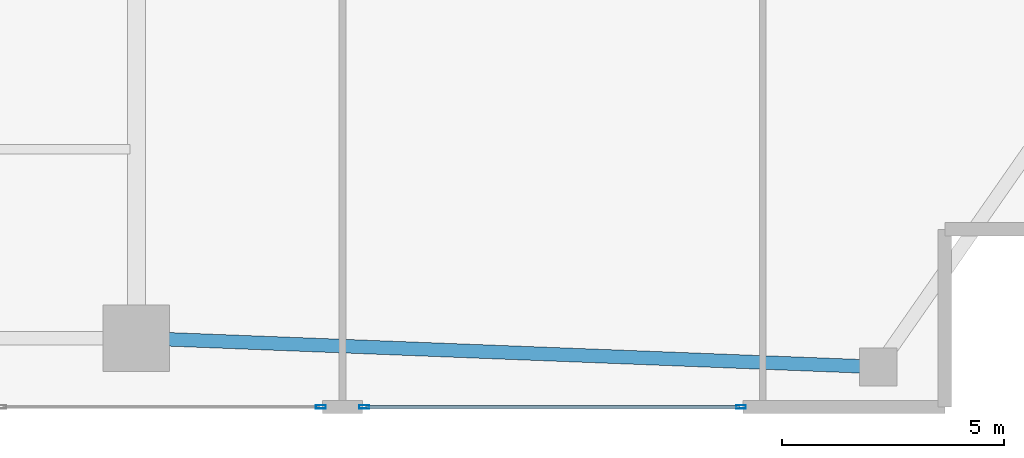
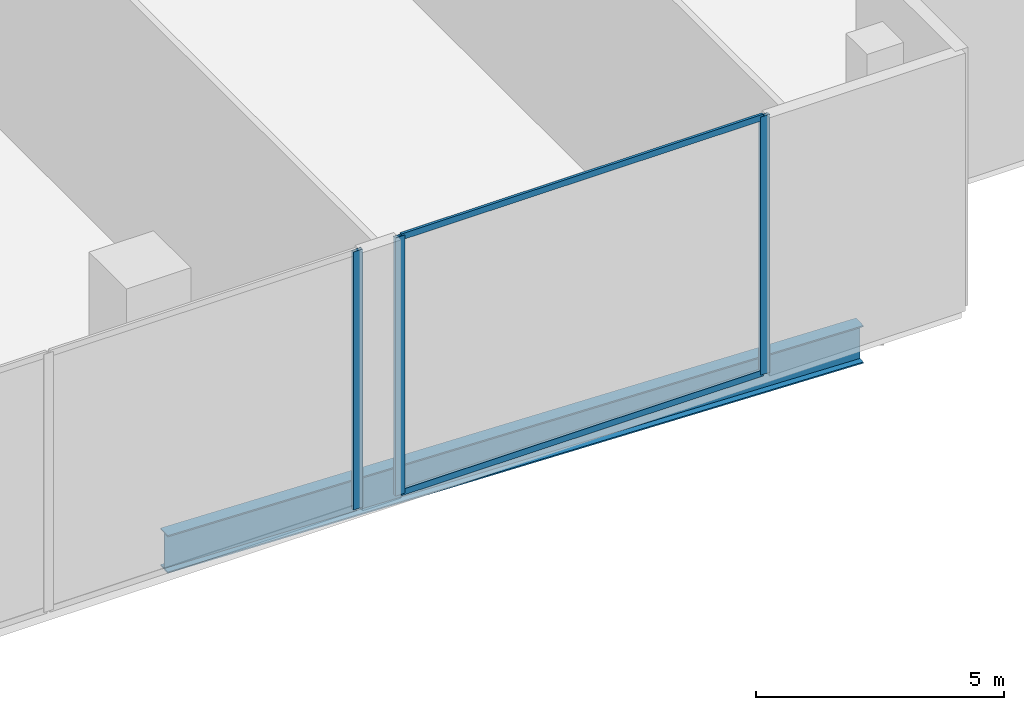
# One storey, part 10 of 30: 5 members, 1 beam, 2 elements without a shape of their own.
"""IFC4 building model written with IfcOpenShell, lengths in metres."""

import ifcopenshell
import ifcopenshell.guid

model = None  # the IFC model being written
_history = None  # IfcOwnerHistory: only IFC2X3 demands one
_inside = {}  # id of a spatial element -> (the spatial element, [elements in it])
_under = {}  # id of a project, library or spatial element -> (it, [spatial elements below it])
_declared = {}  # id of a project -> (the project, [libraries it declares])
_typed = {}  # id of a type object -> (the type object, [elements of that type])
_made_of = {}  # id of a material, layer set ... -> (it, [elements and type objects made of it])


def new_model(schema):
    """Start an empty IFC model of exactly this schema.

    Asked for "IFC4X3", IfcOpenShell would pick the latest addendum, in which some entities
    have other attributes; the version numbers below select the first issue.
    IFC2X3 requires an IfcOwnerHistory on every rooted entity: one is made here for all.
    """
    global model, _history
    if schema == "IFC4X3":
        model = ifcopenshell.file(schema_version=(4, 3, 0, 0))
    else:
        model = ifcopenshell.file(schema=schema)
    _inside.clear()
    _under.clear()
    _declared.clear()
    _typed.clear()
    _made_of.clear()
    _history = None
    if model.schema == "IFC2X3":
        org = make("IfcOrganization", Name="unknown")
        user = make(
            "IfcPersonAndOrganization",
            ThePerson=make("IfcPerson", FamilyName="unknown"),
            TheOrganization=org,
        )
        app = make(
            "IfcApplication",
            ApplicationDeveloper=org,
            Version="unknown",
            ApplicationFullName="unknown",
            ApplicationIdentifier="unknown",
        )
        _history = make(
            "IfcOwnerHistory",
            OwningUser=user,
            OwningApplication=app,
            ChangeAction="ADDED",
            CreationDate=0,
        )
    return model


def make(cls, **values):
    """One entity of the class cls with the attributes given. An attribute that is None is left unset."""
    return model.create_entity(
        cls, **{name: value for name, value in values.items() if value is not None}
    )


def rooted(cls, **values):
    """An entity with a GlobalId (a new one), such as an element, a storey or a relation."""
    return make(cls, GlobalId=ifcopenshell.guid.new(), OwnerHistory=_history, **values)


def si_unit(unit_type, name, prefix=None):
    """IfcSIUnit, for example si_unit("LENGTHUNIT", "METRE", prefix="MILLI")."""
    return make("IfcSIUnit", UnitType=unit_type, Prefix=prefix, Name=name)


def assignment(units):
    """IfcUnitAssignment: the units of a project."""
    return None if units is None else make("IfcUnitAssignment", Units=units)


def point(xyz):
    """IfcCartesianPoint."""
    return None if xyz is None else make("IfcCartesianPoint", Coordinates=xyz)


def direction(xyz):
    """IfcDirection."""
    return None if xyz is None else make("IfcDirection", DirectionRatios=xyz)


def frame(location, z_axis=None, x_axis=None):
    """IfcAxis2Placement3D, a coordinate frame: its origin and axes. An axis left out is left unset."""
    return make(
        "IfcAxis2Placement3D",
        Location=point(location),
        Axis=direction(z_axis),
        RefDirection=direction(x_axis),
    )


def frame_2d(location, x_axis=None):
    """IfcAxis2Placement2D, a coordinate frame in the plane: its origin and x axis."""
    return make(
        "IfcAxis2Placement2D", Location=point(location), RefDirection=direction(x_axis)
    )


def origin():
    """The frame at (0, 0, 0) with its axes left unset."""
    return frame((0.0, 0.0, 0.0))


def origin_2d():
    """The frame at (0, 0) in the plane with its x axis left unset."""
    return frame_2d((0.0, 0.0))


def place(relative_to, where):
    """IfcLocalPlacement: puts the frame where relative to a parent placement (None: the world)."""
    return make(
        "IfcLocalPlacement", PlacementRelTo=relative_to, RelativePlacement=where
    )


def context(
    kind, dimensions, precision=None, world=None, true_north=None, identifier=None
):
    """IfcGeometricRepresentationContext, for example the 3D "Model" context."""
    return make(
        "IfcGeometricRepresentationContext",
        ContextIdentifier=identifier,
        ContextType=kind,
        CoordinateSpaceDimension=dimensions,
        Precision=precision,
        WorldCoordinateSystem=world,
        TrueNorth=true_north,
    )


def subcontext(parent, identifier, kind, view, scale=None):
    """IfcGeometricRepresentationSubContext, for example "Body" below "Model"."""
    return make(
        "IfcGeometricRepresentationSubContext",
        ContextIdentifier=identifier,
        ContextType=kind,
        ParentContext=parent,
        TargetScale=scale,
        TargetView=view,
    )


def project(units=None, contexts=None):
    """IfcProject with its units and contexts."""
    return rooted(
        "IfcProject",
        Name="project",
        RepresentationContexts=contexts,
        UnitsInContext=assignment(units),
    )


def spatial(cls, under=None, at=None, **own):
    """A site, building, storey or space (cls), placed at a placement, below another one or the project."""
    s = rooted(cls, ObjectPlacement=at, **own)
    if under is not None:
        _under.setdefault(under.id(), (under, []))[1].append(s)
    return s


def profile(cls, at=None, kind="AREA", **sizes):
    """A parametric profile (cls). Its sizes go by their IFC names, for example OverallWidth=200.0."""
    return make(cls, ProfileType=kind, Position=at, **sizes)


def hollow_rectangle(**sizes):
    """IfcRectangleHollowProfileDef."""
    return profile("IfcRectangleHollowProfileDef", **sizes)


def i_section(**sizes):
    """IfcIShapeProfileDef."""
    return profile("IfcIShapeProfileDef", **sizes)


def extrude(swept, where, along, depth):
    """IfcExtrudedAreaSolid: the profile swept, set in the frame where, extruded along a direction by depth."""
    return make(
        "IfcExtrudedAreaSolid",
        SweptArea=swept,
        Position=where,
        ExtrudedDirection=direction(along),
        Depth=depth,
    )


def shape(context_of_items, identifier, shape_type, items):
    """IfcShapeRepresentation: the items that make up one representation, for example the "Body"."""
    return make(
        "IfcShapeRepresentation",
        ContextOfItems=context_of_items,
        RepresentationIdentifier=identifier,
        RepresentationType=shape_type,
        Items=items,
    )


def material(Name=None, Category=None):
    """IfcMaterial."""
    return make("IfcMaterial", Name=Name, Category=Category)


def layer(
    of_material, thickness, ventilated=None, Name=None, Category=None, Priority=None
):
    """IfcMaterialLayer: one layer of a wall or slab, of a material (None: an air gap)."""
    return make(
        "IfcMaterialLayer",
        Material=of_material,
        LayerThickness=thickness,
        IsVentilated=ventilated,
        Name=Name,
        Category=Category,
        Priority=Priority,
    )


def layer_set(layers, Name=None):
    """IfcMaterialLayerSet."""
    return make("IfcMaterialLayerSet", MaterialLayers=layers, LayerSetName=Name)


def material_profile(
    of_material, cross_section, Name=None, Category=None, Priority=None
):
    """IfcMaterialProfile: a cross section and its material."""
    return make(
        "IfcMaterialProfile",
        Name=Name,
        Material=of_material,
        Profile=cross_section,
        Priority=Priority,
        Category=Category,
    )


def profile_set(profiles, Name=None, composite=None):
    """IfcMaterialProfileSet."""
    return make(
        "IfcMaterialProfileSet",
        Name=Name,
        MaterialProfiles=profiles,
        CompositeProfile=composite,
    )


def made_of(thing, what):
    """Note that an element or type object is made of a material, layer set ...; save() writes the relation."""
    if what is not None:
        _made_of.setdefault(what.id(), (what, []))[1].append(thing)
    return thing


def type_object(cls, material=None, **own):
    """A type object (cls), such as IfcWallType, which elements share."""
    return made_of(rooted(cls, **own), material)


def element(
    cls,
    number,
    at=None,
    inside=None,
    cuts=None,
    type_object=None,
    material=None,
    context=None,
    identifier="Body",
    shape_type=None,
    held_by="IfcProductDefinitionShape",
    body=None,
    shapes=None,
    **own,
):
    """One element of the class cls, such as IfcWall. Its Tag is "e" and its number.

    at: its placement. inside: the storey or other place that contains it. cuts: it is an
    opening in that element (IfcRelVoidsElement). A single representation is given by context,
    identifier, shape_type and body (its items); several are given by shapes. held_by: the class
    of the entity that holds the representations. save() writes the other relations.
    """
    e = rooted(cls, Tag="e%d" % number, ObjectPlacement=at, **own)
    if body is not None:
        shapes = [shape(context, identifier, shape_type, body)]
    if shapes is not None:
        e.Representation = make(held_by, Representations=shapes)
    if inside is not None:
        _inside.setdefault(inside.id(), (inside, []))[1].append(e)
    if cuts is not None:
        rooted(
            "IfcRelVoidsElement", RelatingBuildingElement=cuts, RelatedOpeningElement=e
        )
    if type_object is not None:
        _typed.setdefault(type_object.id(), (type_object, []))[1].append(e)
    return made_of(e, material)


def aggregate(whole, parts):
    """IfcRelAggregates: a whole, such as a stair, and the parts it consists of."""
    return rooted("IfcRelAggregates", RelatingObject=whole, RelatedObjects=parts)


def save(model, path):
    """Write the relations noted so far, then the file.

    IfcRelAggregates (storeys below a building ...), IfcRelContainedInSpatialStructure (elements
    in a storey), IfcRelDefinesByType, IfcRelAssociatesMaterial and IfcRelDeclares: one each for
    every whole, place, type object, material and project.
    """
    for whole, parts in _under.values():
        aggregate(whole, parts)
    for where, things in _inside.values():
        rooted(
            "IfcRelContainedInSpatialStructure",
            RelatedElements=things,
            RelatingStructure=where,
        )
    for kind, things in _typed.values():
        rooted("IfcRelDefinesByType", RelatedObjects=things, RelatingType=kind)
    for what, things in _made_of.values():
        rooted("IfcRelAssociatesMaterial", RelatedObjects=things, RelatingMaterial=what)
    for by, libraries in _declared.values():
        rooted("IfcRelDeclares", RelatingContext=by, RelatedDefinitions=libraries)
    model.write(path)


model = new_model("IFC4")

# Units and contexts
model_context = context("Model", 3, precision=1e-05, world=origin(), true_north=direction((0.0, 1.0)))
body_context = subcontext(model_context, "Body", "Model", "MODEL_VIEW")
ifc_project = project(units=[si_unit("LENGTHUNIT", "METRE"), si_unit("AREAUNIT", "SQUARE_METRE"), si_unit("VOLUMEUNIT", "CUBIC_METRE"), si_unit("PLANEANGLEUNIT", "RADIAN"), si_unit("MASSUNIT", "GRAM", prefix="KILO")], contexts=[model_context])

# Site, building, storey
site_placement = place(None, origin())
site = spatial("IfcSite", under=ifc_project, at=site_placement, CompositionType="ELEMENT")
building_placement = place(site_placement, origin())
building = spatial("IfcBuilding", under=site, at=building_placement, Name="Zuhayl Quay Hotel", CompositionType="ELEMENT")
storey_placement = place(building_placement, frame((0.0, 0.0, 11.39990234375)))
storey = spatial("IfcBuildingStorey", under=building, at=storey_placement, Name="L02", CompositionType="ELEMENT", Elevation=11.39990234375)

# Beam
ifc_material_1 = material(Name="Steel ASTM A992 Grade 50", Category="steel")
ifc_material_profile_1 = material_profile(ifc_material_1, i_section(OverallWidth=0.306884765625, OverallDepth=0.927001953125, WebThickness=0.019287109375, FlangeThickness=0.031982421875, at=origin_2d()), Name="W36X194")
ifc_profile_set_1 = profile_set([ifc_material_profile_1], Name="Steel ASTM A992 Grade 50")
beam_type = type_object("IfcBeamType", Name="BM_PG2_W36X194", PredefinedType="BEAM", material=ifc_profile_set_1)
beam_placement = place(storey_placement, frame((14.349609375, -22.471435546875, -0.723388671875), z_axis=(0.999243175194, -0.038898288239, 0.0), x_axis=(0.038898288239, 0.999243175194, 0.0)))
element("IfcBeam", 1, at=beam_placement, inside=storey, type_object=beam_type, Name="L02 Floor Beam PG_S_L02_4", PredefinedType="BEAM", context=body_context, shape_type="SweptSolid", body=[
    extrude(i_section(OverallWidth=0.306884765625, OverallDepth=0.927001953125, WebThickness=0.019287109375, FlangeThickness=0.031982421875, at=origin_2d()), origin(), (0.0, 0.0, 1.0), 15.82275390625),
])

# Curtain wall, members
ifc_material_2 = material(Name="Anodised Aluminium 6063-T6", Category="aluminium")
ifc_layer = layer(ifc_material_2, 0.199951171875, Name="Anodised Aluminium 6063-T6", Category="aluminium")
ifc_layer_set = layer_set([ifc_layer], Name="Anodised Aluminium 6063-T6")
curtain_wall_type = type_object("IfcCurtainWallType", Name="CW_SYS_POD", PredefinedType="USERDEFINED", material=ifc_layer_set)
curtain_wall_1_placement = place(storey_placement, origin())
curtain_wall_1 = element("IfcCurtainWall", 2, at=curtain_wall_1_placement, inside=storey, type_object=curtain_wall_type, Name="L02 Curtain Wall ENV_L02_E11_CW1", ObjectType="UNITISED CURTAIN WALL", PredefinedType="USERDEFINED")
ifc_material_3 = material(Name="Black-anodised aluminium 6063-T6", Category="aluminium")
ifc_material_profile_2 = material_profile(ifc_material_3, hollow_rectangle(XDim=0.074951171875, YDim=0.219970703125, WallThickness=0.00390625, at=origin_2d()), Name="ALU220X75")
ifc_profile_set_2 = profile_set([ifc_material_profile_2], Name="Black-anodised aluminium 6063-T6")
member_type_1 = type_object("IfcMemberType", Name="MB_CW_MUL_220", PredefinedType="MULLION", material=ifc_profile_set_2)
member_1_placement = place(storey_placement, frame((27.41259765625, -24.0, 0.0), z_axis=(0.0, 0.0, 1.0), x_axis=(0.0, -1.0, 0.0)))
member_1 = element("IfcMember", 3, at=member_1_placement, type_object=member_type_1, Name="CW-POD mullion 1", PredefinedType="MULLION", context=body_context, shape_type="SweptSolid", body=[
    extrude(hollow_rectangle(XDim=0.074951171875, YDim=0.219970703125, WallThickness=0.00390625, at=origin_2d()), origin(), (0.0, 0.0, 1.0), 6.340087890625),
])
member_2_placement = place(storey_placement, frame((18.927490234375, -24.0, 0.0), z_axis=(0.0, 0.0, 1.0), x_axis=(0.0, -1.0, 0.0)))
member_2 = element("IfcMember", 4, at=member_2_placement, type_object=member_type_1, Name="CW-POD mullion 2", PredefinedType="MULLION", context=body_context, shape_type="SweptSolid", body=[
    extrude(hollow_rectangle(XDim=0.074951171875, YDim=0.219970703125, WallThickness=0.00390625, at=origin_2d()), origin(), (0.0, 0.0, 1.0), 6.340087890625),
])

# Curtain wall, member
curtain_wall_2_placement = place(storey_placement, origin())
curtain_wall_2 = element("IfcCurtainWall", 5, at=curtain_wall_2_placement, inside=storey, type_object=curtain_wall_type, Name="L02 Curtain Wall ENV_L02_E11_CW2", ObjectType="UNITISED CURTAIN WALL", PredefinedType="USERDEFINED")
member_3_placement = place(storey_placement, frame((17.952392578125, -24.0, 0.0), z_axis=(0.0, 0.0, 1.0), x_axis=(0.0, -1.0, 0.0)))
member_3 = element("IfcMember", 6, at=member_3_placement, type_object=member_type_1, Name="CW-POD mullion 1", PredefinedType="MULLION", context=body_context, shape_type="SweptSolid", body=[
    extrude(hollow_rectangle(XDim=0.074951171875, YDim=0.219970703125, WallThickness=0.00390625, at=origin_2d()), origin(), (0.0, 0.0, 1.0), 6.340087890625),
])
aggregate(curtain_wall_2, [member_3])

# Member
ifc_material_profile_3 = material_profile(ifc_material_3, hollow_rectangle(XDim=0.06005859375, YDim=0.14990234375, WallThickness=0.00341796875, at=origin_2d()), Name="ALU150X60")
ifc_profile_set_3 = profile_set([ifc_material_profile_3], Name="Black-anodised aluminium 6063-T6")
member_type_2 = type_object("IfcMemberType", Name="MB_CW_TRN_150", PredefinedType="USERDEFINED", material=ifc_profile_set_3)
member_4_placement = place(storey_placement, frame((27.375, -24.0, 0.030029296875), z_axis=(-1.0, 0.0, 0.0), x_axis=(0.0, -1.0, 0.0)))
member_4 = element("IfcMember", 7, at=member_4_placement, type_object=member_type_2, Name="CW-POD transom 1.1", ObjectType="TRANSOM", PredefinedType="USERDEFINED", context=body_context, shape_type="SweptSolid", body=[
    extrude(hollow_rectangle(XDim=0.06005859375, YDim=0.14990234375, WallThickness=0.00341796875, at=origin_2d()), origin(), (0.0, 0.0, 1.0), 8.409912109375),
])

member_5_placement = place(storey_placement, frame((27.375, -24.0, 6.31005859375), z_axis=(-1.0, 0.0, 0.0), x_axis=(0.0, -1.0, 0.0)))
member_5 = element("IfcMember", 8, at=member_5_placement, type_object=member_type_2, Name="CW-POD transom 1.2", ObjectType="TRANSOM", PredefinedType="USERDEFINED", context=body_context, shape_type="SweptSolid", body=[
    extrude(hollow_rectangle(XDim=0.06005859375, YDim=0.14990234375, WallThickness=0.00341796875, at=origin_2d()), origin(), (0.0, 0.0, 1.0), 8.409912109375),
])

aggregate(curtain_wall_1, [member_1, member_2, member_4, member_5])

save(model, "model.ifc")
